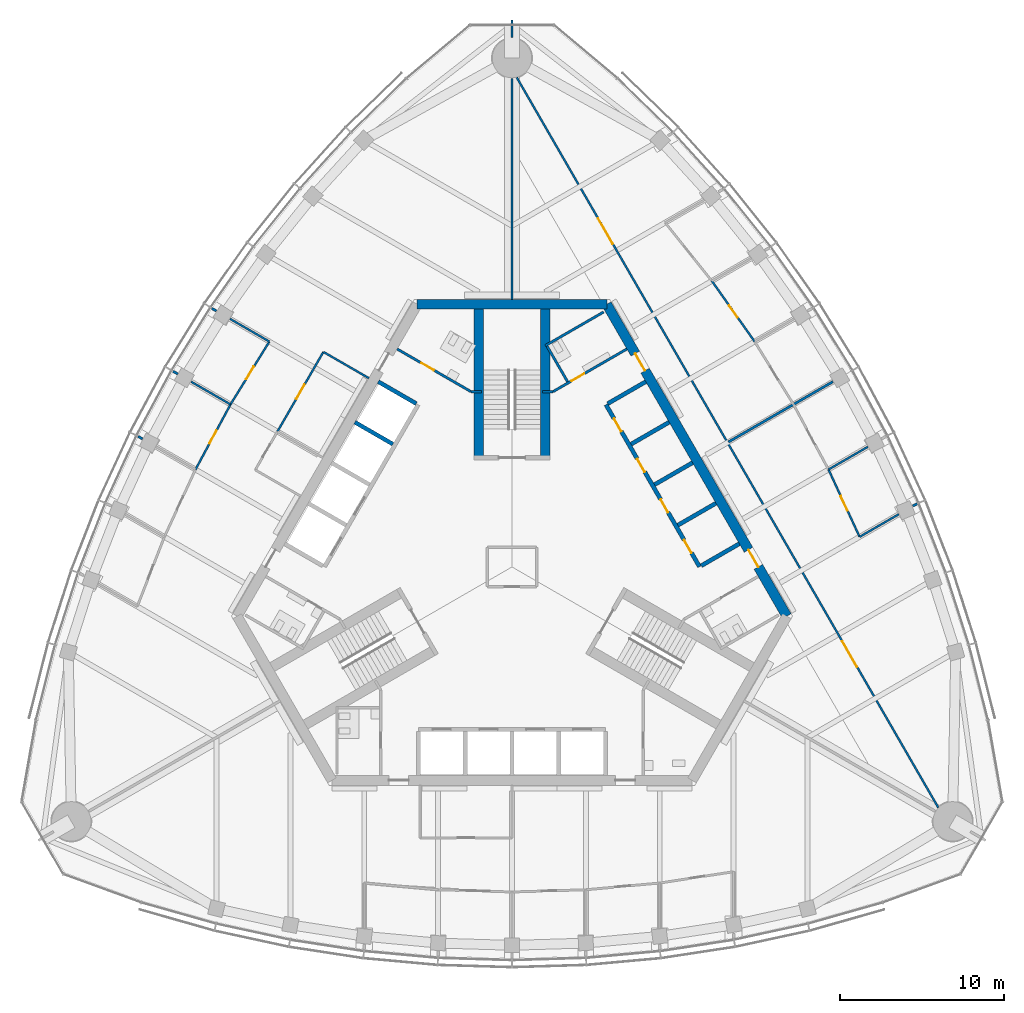
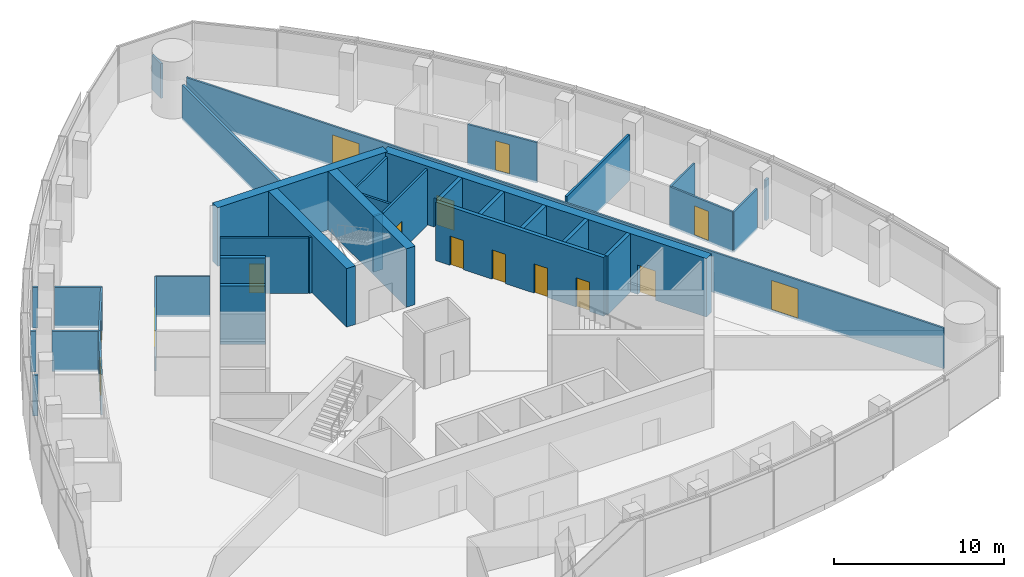
# One storey, part 10 of 16: 36 walls, 15 doors, 15 openings.
"""IFC4 building model written with IfcOpenShell, lengths in metres."""

from ifc_helpers import new_model, si_unit, direction, frame, frame_2d, origin, place, context, subcontext, project, spatial, rectangle, extrude, material, layer, layer_set, type_object, element, fill, save


model = new_model("IFC4")

# Units and contexts
model_context = context("Model", 3, precision=1e-05, world=origin(), true_north=direction((0.0, 1.0)))
body_context = subcontext(model_context, "Body", "Model", "MODEL_VIEW")
ifc_project = project(units=[si_unit("LENGTHUNIT", "METRE"), si_unit("AREAUNIT", "SQUARE_METRE"), si_unit("VOLUMEUNIT", "CUBIC_METRE"), si_unit("PLANEANGLEUNIT", "RADIAN"), si_unit("MASSUNIT", "GRAM", prefix="KILO")], contexts=[model_context])

# Site, building, storey
site_placement = place(None, origin())
site = spatial("IfcSite", under=ifc_project, at=site_placement, CompositionType="ELEMENT")
building_placement = place(site_placement, origin())
building = spatial("IfcBuilding", under=site, at=building_placement, Name="Trefoil Bronze Tower", CompositionType="ELEMENT")
storey_placement = place(building_placement, frame((0.0, 0.0, 301.5)))
storey = spatial("IfcBuildingStorey", under=building, at=storey_placement, Name="L69", CompositionType="ELEMENT", Elevation=301.5)

# Wall, openings, doors
ifc_material_1 = material(Name="Concrete B80", Category="concrete")
ifc_layer_1 = layer(ifc_material_1, 0.60009765625)
ifc_layer_set_1 = layer_set([ifc_layer_1], Name="Core wall 600")
wall_type_1 = type_object("IfcWallType", Name="Core wall 600", PredefinedType="SHEAR", material=ifc_layer_set_1)
wall_1_placement = place(storey_placement, frame((16.7431640625, -3.0, 0.0), z_axis=(0.0, 0.0, 1.0), x_axis=(-0.500002442456, 0.866023993627, 0.0)))
wall_1 = element("IfcWall", 1, at=wall_1_placement, inside=storey, type_object=wall_type_1, Name="Core long wall 2 L69", PredefinedType="SHEAR", context=body_context, shape_type="SweptSolid", body=[
    extrude(rectangle(XDim=21.939453125, YDim=0.60009765625, at=frame_2d((10.9697265625, 0.0))), origin(), (0.0, 0.0, 1.0), 4.199951171875),
])
opening_1_placement = place(wall_1_placement, frame((17.269775390625, 0.0, 0.0)))
opening_1 = element("IfcOpeningElement", 2, at=opening_1_placement, cuts=wall_1, Name="Opening D2", PredefinedType="OPENING", context=body_context, shape_type="SweptSolid", body=[
    extrude(rectangle(XDim=1.199951171875, YDim=2.10009765625, at=frame_2d((0.60009765625, 1.050048828125))), frame((0.0, 0.31005859375, 0.0), z_axis=(0.0, -1.0, 0.0), x_axis=(1.0, 0.0, 0.0)), (0.0, 0.0, 1.0), 0.6201171875),
])
opening_2_placement = place(wall_1_placement, frame((3.4697265625, 0.0, 0.0)))
opening_2 = element("IfcOpeningElement", 3, at=opening_2_placement, cuts=wall_1, Name="Opening D2", PredefinedType="OPENING", context=body_context, shape_type="SweptSolid", body=[
    extrude(rectangle(XDim=1.199951171875, YDim=2.10009765625, at=frame_2d((0.60009765625, 1.050048828125))), frame((0.0, 0.31005859375, 0.0), z_axis=(0.0, -1.0, 0.0), x_axis=(1.0, 0.0, 0.0)), (0.0, 0.0, 1.0), 0.6201171875),
])
ifc_material_2 = material(Name="Steel door", Category="steel")
door_type_1 = type_object("IfcDoorType", Name="Lobby door 1200", OperationType="SINGLE_SWING_RIGHT", PredefinedType="DOOR", material=ifc_material_2)
door_1_placement = place(opening_1_placement, origin())
door_1 = element("IfcDoor", 4, at=door_1_placement, inside=storey, type_object=door_type_1, Name="Lobby door F2+ L69", OperationType="SINGLE_SWING_RIGHT", OverallHeight=2.10009765625, OverallWidth=1.199951171875, PredefinedType="DOOR", context=body_context, shape_type="SweptSolid", body=[
    extrude(rectangle(XDim=1.199951171875, YDim=2.10009765625, at=frame_2d((0.60009765625, 1.050048828125))), frame((0.0, 0.02490234375, 0.0), z_axis=(0.0, -1.0, 0.0), x_axis=(1.0, 0.0, 0.0)), (0.0, 0.0, 1.0), 0.050048828125),
])
fill(opening_1, door_1)
door_2_placement = place(opening_2_placement, origin())
door_2 = element("IfcDoor", 5, at=door_2_placement, inside=storey, type_object=door_type_1, Name="Lobby door F2- L69", OperationType="SINGLE_SWING_LEFT", OverallHeight=2.10009765625, OverallWidth=1.199951171875, PredefinedType="DOOR", context=body_context, shape_type="SweptSolid", body=[
    extrude(rectangle(XDim=1.199951171875, YDim=2.10009765625, at=frame_2d((0.60009765625, 1.050048828125))), frame((0.0, 0.02490234375, 0.0), z_axis=(0.0, -1.0, 0.0), x_axis=(1.0, 0.0, 0.0)), (0.0, 0.0, 1.0), 0.050048828125),
])
fill(opening_2, door_2)

# Wall
wall_2_placement = place(storey_placement, frame((5.7734375, 16.0, 0.0), z_axis=(0.0, 0.0, 1.0), x_axis=(-1.0, 0.0, 0.0)))
element("IfcWall", 6, at=wall_2_placement, inside=storey, type_object=wall_type_1, Name="Core short wall 2 L69", PredefinedType="SHEAR", context=body_context, shape_type="SweptSolid", body=[
    extrude(rectangle(XDim=11.546875, YDim=0.60009765625, at=frame_2d((5.7734375, 0.0))), origin(), (0.0, 0.0, 1.0), 4.199951171875),
])

# Wall, openings, doors
ifc_material_3 = material(Name="Glazed partition", Category="glass")
ifc_layer_2 = layer(ifc_material_3, 0.1201171875)
ifc_layer_set_2 = layer_set([ifc_layer_2], Name="Glazed partition 120")
wall_type_2 = type_object("IfcWallType", Name="Glazed partition 120", PredefinedType="PARTITIONING", material=ifc_layer_set_2)
wall_3_placement = place(storey_placement, frame((25.9677734375, -14.657470703125, 0.0), z_axis=(0.0, 0.0, 1.0), x_axis=(-0.500000361757, 0.866025194924, 0.0)))
wall_3 = element("IfcWall", 7, at=wall_3_placement, inside=storey, type_object=wall_type_2, Name="Partition F2 L69", PredefinedType="PARTITIONING", context=body_context, shape_type="SweptSolid", body=[
    extrude(rectangle(XDim=51.35546875, YDim=0.1201171875, at=frame_2d((25.677734375, 0.0))), origin(), (0.0, 0.0, 1.0), 2.89990234375),
])
opening_3_placement = place(wall_3_placement, frame((9.89990234375, 0.0, 0.14990234375)))
opening_3 = element("IfcOpeningElement", 8, at=opening_3_placement, cuts=wall_3, Name="Opening D10", PredefinedType="OPENING", context=body_context, shape_type="SweptSolid", body=[
    extrude(rectangle(XDim=1.800048828125, YDim=2.10009765625, at=frame_2d((0.89990234375, 1.050048828125))), frame((0.0, 0.070068359375, 0.0), z_axis=(0.0, -1.0, 0.0), x_axis=(1.0, 0.0, 0.0)), (0.0, 0.0, 1.0), 0.14013671875),
])
opening_4_placement = place(wall_3_placement, frame((39.64990234375, 0.0, 0.14990234375)))
opening_4 = element("IfcOpeningElement", 9, at=opening_4_placement, cuts=wall_3, Name="Opening D10", PredefinedType="OPENING", context=body_context, shape_type="SweptSolid", body=[
    extrude(rectangle(XDim=1.800048828125, YDim=2.10009765625, at=frame_2d((0.89990234375, 1.050048828125))), frame((0.0, 0.070068359375, 0.0), z_axis=(0.0, -1.0, 0.0), x_axis=(1.0, 0.0, 0.0)), (0.0, 0.0, 1.0), 0.14013671875),
])
ifc_material_4 = material(Name="Timber door", Category="wood")
door_type_2 = type_object("IfcDoorType", Name="Double door 1800", OperationType="DOUBLE_DOOR_SINGLE_SWING", PredefinedType="DOOR", material=ifc_material_4)
door_3_placement = place(opening_3_placement, origin())
door_3 = element("IfcDoor", 10, at=door_3_placement, inside=storey, type_object=door_type_2, Name="Corridor door F2 L69", OperationType="DOUBLE_DOOR_SINGLE_SWING", OverallHeight=2.10009765625, OverallWidth=1.800048828125, PredefinedType="DOOR", context=body_context, shape_type="SweptSolid", body=[
    extrude(rectangle(XDim=1.800048828125, YDim=2.10009765625, at=frame_2d((0.89990234375, 1.050048828125))), frame((0.0, 0.02490234375, 0.0), z_axis=(0.0, -1.0, 0.0), x_axis=(1.0, 0.0, 0.0)), (0.0, 0.0, 1.0), 0.050048828125),
])
fill(opening_3, door_3)
door_4_placement = place(opening_4_placement, origin())
door_4 = element("IfcDoor", 11, at=door_4_placement, inside=storey, type_object=door_type_2, Name="Corridor door F2 L69", OperationType="DOUBLE_DOOR_SINGLE_SWING", OverallHeight=2.10009765625, OverallWidth=1.800048828125, PredefinedType="DOOR", context=body_context, shape_type="SweptSolid", body=[
    extrude(rectangle(XDim=1.800048828125, YDim=2.10009765625, at=frame_2d((0.89990234375, 1.050048828125))), frame((0.0, 0.02490234375, 0.0), z_axis=(0.0, -1.0, 0.0), x_axis=(1.0, 0.0, 0.0)), (0.0, 0.0, 1.0), 0.050048828125),
])
fill(opening_4, door_4)

# Wall, opening, door
wall_4_placement = place(storey_placement, frame((14.78076171875, 13.729736328125, 0.0), z_axis=(0.0, 0.0, 1.0), x_axis=(-0.576572893039, 0.817045714151, 0.0)))
wall_4 = element("IfcWall", 12, at=wall_4_placement, inside=storey, type_object=wall_type_2, Name="Partition F2 L69", PredefinedType="PARTITIONING", context=body_context, shape_type="SweptSolid", body=[
    extrude(rectangle(XDim=4.518798828125, YDim=0.1201171875, at=frame_2d((2.25927734375, 0.0))), origin(), (0.0, 0.0, 1.0), 2.89990234375),
])
opening_5_placement = place(wall_4_placement, frame((1.800048828125, 0.0, 0.14990234375)))
opening_5 = element("IfcOpeningElement", 13, at=opening_5_placement, cuts=wall_4, Name="Opening D8", PredefinedType="OPENING", context=body_context, shape_type="SweptSolid", body=[
    extrude(rectangle(XDim=0.89990234375, YDim=2.10009765625, at=frame_2d((0.449951171875, 1.050048828125))), frame((0.0, 0.070068359375, 0.0), z_axis=(0.0, -1.0, 0.0), x_axis=(1.0, 0.0, 0.0)), (0.0, 0.0, 1.0), 0.14013671875),
])
ifc_material_5 = material(Name="Timber door", Category="wood")
door_type_3 = type_object("IfcDoorType", Name="Office door 900", OperationType="SINGLE_SWING_LEFT", PredefinedType="DOOR", material=ifc_material_5)
door_5_placement = place(opening_5_placement, frame((0.89990234375, 0.0, 0.0), z_axis=(0.0, 0.0, 1.0), x_axis=(-1.0, 0.0, 0.0)))
door_5 = element("IfcDoor", 14, at=door_5_placement, inside=storey, type_object=door_type_3, Name="Office door F2 L69", OperationType="SINGLE_SWING_RIGHT", OverallHeight=2.10009765625, OverallWidth=0.89990234375, PredefinedType="DOOR", context=body_context, shape_type="SweptSolid", body=[
    extrude(rectangle(XDim=0.89990234375, YDim=2.10009765625, at=frame_2d((0.449951171875, 1.050048828125))), frame((0.0, 0.02490234375, 0.0), z_axis=(0.0, -1.0, 0.0), x_axis=(1.0, 0.0, 0.0)), (0.0, 0.0, 1.0), 0.050048828125),
])
fill(opening_5, door_5)

wall_5_placement = place(storey_placement, frame((21.17529296875, 1.833251953125, 0.0), z_axis=(0.0, 0.0, 1.0), x_axis=(-0.419270595022, 0.907861315483, 0.0)))
wall_5 = element("IfcWall", 15, at=wall_5_placement, inside=storey, type_object=wall_type_2, Name="Partition F2 L69", PredefinedType="PARTITIONING", context=body_context, shape_type="SweptSolid", body=[
    extrude(rectangle(XDim=4.5185546875, YDim=0.1201171875, at=frame_2d((2.25927734375, 0.0))), origin(), (0.0, 0.0, 1.0), 2.89990234375),
])
opening_6_placement = place(wall_5_placement, frame((1.75, 0.0, 0.14990234375)))
opening_6 = element("IfcOpeningElement", 16, at=opening_6_placement, cuts=wall_5, Name="Opening D9", PredefinedType="OPENING", context=body_context, shape_type="SweptSolid", body=[
    extrude(rectangle(XDim=1.0, YDim=2.10009765625, at=frame_2d((0.5, 1.050048828125))), frame((0.0, 0.070068359375, 0.0), z_axis=(0.0, -1.0, 0.0), x_axis=(1.0, 0.0, 0.0)), (0.0, 0.0, 1.0), 0.14013671875),
])
ifc_material_6 = material(Name="Glazed timber door", Category="wood")
door_type_4 = type_object("IfcDoorType", Name="Meeting room door 1000", OperationType="SINGLE_SWING_LEFT", PredefinedType="DOOR", material=ifc_material_6)
door_6_placement = place(opening_6_placement, frame((1.0, 0.0, 0.0), z_axis=(0.0, 0.0, 1.0), x_axis=(-1.0, 0.0, 0.0)))
door_6 = element("IfcDoor", 17, at=door_6_placement, inside=storey, type_object=door_type_4, Name="Meeting room door F2 L69", OperationType="SINGLE_SWING_RIGHT", OverallHeight=2.10009765625, OverallWidth=1.0, PredefinedType="DOOR", context=body_context, shape_type="SweptSolid", body=[
    extrude(rectangle(XDim=1.0, YDim=2.10009765625, at=frame_2d((0.5, 1.050048828125))), frame((0.0, 0.02490234375, 0.0), z_axis=(0.0, -1.0, 0.0), x_axis=(1.0, 0.0, 0.0)), (0.0, 0.0, 1.0), 0.050048828125),
])
fill(opening_6, door_6)

# Walls
wall_6_placement = place(storey_placement, frame((19.28076171875, 5.935546875, 0.0), z_axis=(0.0, 0.0, 1.0), x_axis=(0.866019581949, 0.500010083578, 0.0)))
element("IfcWall", 18, at=wall_6_placement, inside=storey, type_object=wall_type_2, Name="Partition F2 L69", PredefinedType="PARTITIONING", context=body_context, shape_type="SweptSolid", body=[
    extrude(rectangle(XDim=2.767578125, YDim=0.1201171875, at=frame_2d((1.3837890625, 0.0))), origin(), (0.0, 0.0, 1.0), 2.89990234375),
])
wall_7_placement = place(storey_placement, frame((21.17529296875, 1.833251953125, 0.0), z_axis=(0.0, 0.0, 1.0), x_axis=(0.86602506628, 0.500000584575, 0.0)))
element("IfcWall", 19, at=wall_7_placement, inside=storey, type_object=wall_type_2, Name="Partition F2 L69", PredefinedType="PARTITIONING", context=body_context, shape_type="SweptSolid", body=[
    extrude(rectangle(XDim=2.7607421875, YDim=0.1201171875, at=frame_2d((1.38037109375, 0.0))), origin(), (0.0, 0.0, 1.0), 2.89990234375),
])

# Wall, opening, door
wall_8_placement = place(storey_placement, frame((-11.489501953125, 13.099853515625, 0.0), z_axis=(0.0, 0.0, 1.0), x_axis=(-0.499965239061, -0.866045472092, 0.0)))
wall_8 = element("IfcWall", 20, at=wall_8_placement, inside=storey, type_object=wall_type_2, Name="Partition F3 L69", PredefinedType="PARTITIONING", context=body_context, shape_type="SweptSolid", body=[
    extrude(rectangle(XDim=5.60009765625, YDim=0.1201171875, at=frame_2d((2.800048828125, 0.0))), origin(), (0.0, 0.0, 1.0), 2.89990234375),
])
opening_7_placement = place(wall_8_placement, frame((2.300048828125, 0.0, 0.14990234375)))
opening_7 = element("IfcOpeningElement", 21, at=opening_7_placement, cuts=wall_8, Name="Opening D9", PredefinedType="OPENING", context=body_context, shape_type="SweptSolid", body=[
    extrude(rectangle(XDim=1.0, YDim=2.10009765625, at=frame_2d((0.5, 1.050048828125))), frame((0.0, 0.070068359375, 0.0), z_axis=(0.0, -1.0, 0.0), x_axis=(1.0, 0.0, 0.0)), (0.0, 0.0, 1.0), 0.14013671875),
])
door_7_placement = place(opening_7_placement, origin())
door_7 = element("IfcDoor", 22, at=door_7_placement, inside=storey, type_object=door_type_4, Name="Meeting room door F3 L69", OperationType="SINGLE_SWING_RIGHT", OverallHeight=2.10009765625, OverallWidth=1.0, PredefinedType="DOOR", context=body_context, shape_type="SweptSolid", body=[
    extrude(rectangle(XDim=1.0, YDim=2.10009765625, at=frame_2d((0.5, 1.050048828125))), frame((0.0, 0.02490234375, 0.0), z_axis=(0.0, -1.0, 0.0), x_axis=(1.0, 0.0, 0.0)), (0.0, 0.0, 1.0), 0.050048828125),
])
fill(opening_7, door_7)

# Wall
wall_9_placement = place(storey_placement, frame((-8.718017578125, 11.499755859375, 0.0), z_axis=(0.0, 0.0, 1.0), x_axis=(-0.866028054938, 0.499995408039, 0.0)))
element("IfcWall", 23, at=wall_9_placement, inside=storey, type_object=wall_type_2, Name="Partition F3 L69", PredefinedType="PARTITIONING", context=body_context, shape_type="SweptSolid", body=[
    extrude(rectangle(XDim=3.2001953125, YDim=0.1201171875, at=frame_2d((1.60009765625, 0.0))), origin(), (0.0, 0.0, 1.0), 2.89990234375),
])

# Wall, opening, door
wall_10_placement = place(storey_placement, frame((-17.148681640625, 9.90087890625, 0.0), z_axis=(0.0, 0.0, 1.0), x_axis=(-0.473566170147, -0.880758242932, 0.0)))
wall_10 = element("IfcWall", 24, at=wall_10_placement, inside=storey, type_object=wall_type_2, Name="Partition F3 L69", PredefinedType="PARTITIONING", context=body_context, shape_type="SweptSolid", body=[
    extrude(rectangle(XDim=4.502197265625, YDim=0.1201171875, at=frame_2d((2.2509765625, 0.0))), origin(), (0.0, 0.0, 1.0), 2.89990234375),
])
opening_8_placement = place(wall_10_placement, frame((1.800048828125, 0.0, 0.14990234375)))
opening_8 = element("IfcOpeningElement", 25, at=opening_8_placement, cuts=wall_10, Name="Opening D8", PredefinedType="OPENING", context=body_context, shape_type="SweptSolid", body=[
    extrude(rectangle(XDim=0.89990234375, YDim=2.10009765625, at=frame_2d((0.449951171875, 1.050048828125))), frame((0.0, 0.070068359375, 0.0), z_axis=(0.0, -1.0, 0.0), x_axis=(1.0, 0.0, 0.0)), (0.0, 0.0, 1.0), 0.14013671875),
])
door_8_placement = place(opening_8_placement, frame((0.89990234375, 0.0, 0.0), z_axis=(0.0, 0.0, 1.0), x_axis=(-1.0, 0.0, 0.0)))
door_8 = element("IfcDoor", 26, at=door_8_placement, inside=storey, type_object=door_type_3, Name="Office door F3 L69", OperationType="SINGLE_SWING_RIGHT", OverallHeight=2.10009765625, OverallWidth=0.89990234375, PredefinedType="DOOR", context=body_context, shape_type="SweptSolid", body=[
    extrude(rectangle(XDim=0.89990234375, YDim=2.10009765625, at=frame_2d((0.449951171875, 1.050048828125))), frame((0.0, 0.02490234375, 0.0), z_axis=(0.0, -1.0, 0.0), x_axis=(1.0, 0.0, 0.0)), (0.0, 0.0, 1.0), 0.050048828125),
])
fill(opening_8, door_8)

wall_11_placement = place(storey_placement, frame((-14.78076171875, 13.729736328125, 0.0), z_axis=(0.0, 0.0, 1.0), x_axis=(-0.525981173851, -0.850496210899, 0.0)))
wall_11 = element("IfcWall", 27, at=wall_11_placement, inside=storey, type_object=wall_type_2, Name="Partition F3 L69", PredefinedType="PARTITIONING", context=body_context, shape_type="SweptSolid", body=[
    extrude(rectangle(XDim=4.501953125, YDim=0.1201171875, at=frame_2d((2.2509765625, 0.0))), origin(), (0.0, 0.0, 1.0), 2.89990234375),
])
opening_9_placement = place(wall_11_placement, frame((1.800048828125, 0.0, 0.14990234375)))
opening_9 = element("IfcOpeningElement", 28, at=opening_9_placement, cuts=wall_11, Name="Opening D8", PredefinedType="OPENING", context=body_context, shape_type="SweptSolid", body=[
    extrude(rectangle(XDim=0.89990234375, YDim=2.10009765625, at=frame_2d((0.449951171875, 1.050048828125))), frame((0.0, 0.070068359375, 0.0), z_axis=(0.0, -1.0, 0.0), x_axis=(1.0, 0.0, 0.0)), (0.0, 0.0, 1.0), 0.14013671875),
])
door_9_placement = place(opening_9_placement, frame((0.89990234375, 0.0, 0.0), z_axis=(0.0, 0.0, 1.0), x_axis=(-1.0, 0.0, 0.0)))
door_9 = element("IfcDoor", 29, at=door_9_placement, inside=storey, type_object=door_type_3, Name="Office door F3 L69", OperationType="SINGLE_SWING_RIGHT", OverallHeight=2.10009765625, OverallWidth=0.89990234375, PredefinedType="DOOR", context=body_context, shape_type="SweptSolid", body=[
    extrude(rectangle(XDim=0.89990234375, YDim=2.10009765625, at=frame_2d((0.449951171875, 1.050048828125))), frame((0.0, 0.02490234375, 0.0), z_axis=(0.0, -1.0, 0.0), x_axis=(1.0, 0.0, 0.0)), (0.0, 0.0, 1.0), 0.050048828125),
])
fill(opening_9, door_9)

# Walls
wall_12_placement = place(storey_placement, frame((-17.148681640625, 9.90087890625, 0.0), z_axis=(0.0, 0.0, 1.0), x_axis=(-0.866027073272, 0.499997108352, 0.0)))
element("IfcWall", 30, at=wall_12_placement, inside=storey, type_object=wall_type_2, Name="Partition F3 L69", PredefinedType="PARTITIONING", context=body_context, shape_type="SweptSolid", body=[
    extrude(rectangle(XDim=2.77001953125, YDim=0.1201171875, at=frame_2d((1.385009765625, 0.0))), origin(), (0.0, 0.0, 1.0), 2.89990234375),
])
wall_13_placement = place(storey_placement, frame((-14.78076171875, 13.729736328125, 0.0), z_axis=(0.0, 0.0, 1.0), x_axis=(-0.866019581949, 0.500010083578, 0.0)))
element("IfcWall", 31, at=wall_13_placement, inside=storey, type_object=wall_type_2, Name="Partition F3 L69", PredefinedType="PARTITIONING", context=body_context, shape_type="SweptSolid", body=[
    extrude(rectangle(XDim=2.767578125, YDim=0.1201171875, at=frame_2d((1.3837890625, 0.0))), origin(), (0.0, 0.0, 1.0), 2.89990234375),
])

# Wall, opening, door
ifc_material_7 = material(Name="Gypsum board on steel studs", Category="steel")
ifc_layer_3 = layer(ifc_material_7, 0.14990234375)
ifc_layer_set_3 = layer_set([ifc_layer_3], Name="Partition 150")
wall_type_3 = type_object("IfcWallType", Name="Partition 150", PredefinedType="PARTITIONING", material=ifc_layer_set_3)
wall_14_placement = place(storey_placement, frame((2.4951171875, 10.67822265625, 0.0), z_axis=(0.0, 0.0, 1.0), x_axis=(0.866021400173, 0.500006934395, 0.0)))
wall_14 = element("IfcWall", 32, at=wall_14_placement, inside=storey, type_object=wall_type_3, Name="Passage wall F2+ L69", PredefinedType="PARTITIONING", context=body_context, shape_type="SweptSolid", body=[
    extrude(rectangle(XDim=5.2001953125, YDim=0.14990234375, at=frame_2d((2.60009765625, 0.0))), origin(), (0.0, 0.0, 1.0), 4.0),
])
opening_10_placement = place(wall_14_placement, frame((1.300048828125, 0.0, 0.0)))
opening_10 = element("IfcOpeningElement", 33, at=opening_10_placement, cuts=wall_14, Name="Opening D3", PredefinedType="OPENING", context=body_context, shape_type="SweptSolid", body=[
    extrude(rectangle(XDim=0.89990234375, YDim=2.10009765625, at=frame_2d((0.449951171875, 1.050048828125))), frame((0.0, 0.0849609375, 0.0), z_axis=(0.0, -1.0, 0.0), x_axis=(1.0, 0.0, 0.0)), (0.0, 0.0, 1.0), 0.169921875),
])
ifc_material_8 = material(Name="Timber door", Category="wood")
door_type_5 = type_object("IfcDoorType", Name="WC door 900", OperationType="SINGLE_SWING_LEFT", PredefinedType="DOOR", material=ifc_material_8)
door_10_placement = place(opening_10_placement, origin())
door_10 = element("IfcDoor", 34, at=door_10_placement, inside=storey, type_object=door_type_5, Name="WC (men) door L69", OperationType="SINGLE_SWING_LEFT", OverallHeight=2.10009765625, OverallWidth=0.89990234375, PredefinedType="DOOR", context=body_context, shape_type="SweptSolid", body=[
    extrude(rectangle(XDim=0.89990234375, YDim=2.10009765625, at=frame_2d((0.449951171875, 1.050048828125))), frame((0.0, 0.02490234375, 0.0), z_axis=(0.0, -1.0, 0.0), x_axis=(1.0, 0.0, 0.0)), (0.0, 0.0, 1.0), 0.050048828125),
])
fill(opening_10, door_10)

wall_15_placement = place(storey_placement, frame((-2.4951171875, 10.67822265625, 0.0), z_axis=(0.0, 0.0, 1.0), x_axis=(-0.866021400173, 0.500006934395, 0.0)))
wall_15 = element("IfcWall", 35, at=wall_15_placement, inside=storey, type_object=wall_type_3, Name="Passage wall F3- L69", PredefinedType="PARTITIONING", context=body_context, shape_type="SweptSolid", body=[
    extrude(rectangle(XDim=5.2001953125, YDim=0.14990234375, at=frame_2d((2.60009765625, 0.0))), origin(), (0.0, 0.0, 1.0), 4.0),
])
opening_11_placement = place(wall_15_placement, frame((2.60009765625, 0.0, 0.0)))
opening_11 = element("IfcOpeningElement", 36, at=opening_11_placement, cuts=wall_15, Name="Opening D3", PredefinedType="OPENING", context=body_context, shape_type="SweptSolid", body=[
    extrude(rectangle(XDim=0.89990234375, YDim=2.10009765625, at=frame_2d((0.449951171875, 1.050048828125))), frame((0.0, 0.0849609375, 0.0), z_axis=(0.0, -1.0, 0.0), x_axis=(1.0, 0.0, 0.0)), (0.0, 0.0, 1.0), 0.169921875),
])
door_11_placement = place(opening_11_placement, frame((0.89990234375, 0.0, 0.0), z_axis=(0.0, 0.0, 1.0), x_axis=(-1.0, 0.0, 0.0)))
door_11 = element("IfcDoor", 37, at=door_11_placement, inside=storey, type_object=door_type_5, Name="WC (women) door L69", OperationType="SINGLE_SWING_LEFT", OverallHeight=2.10009765625, OverallWidth=0.89990234375, PredefinedType="DOOR", context=body_context, shape_type="SweptSolid", body=[
    extrude(rectangle(XDim=0.89990234375, YDim=2.10009765625, at=frame_2d((0.449951171875, 1.050048828125))), frame((0.0, 0.02490234375, 0.0), z_axis=(0.0, -1.0, 0.0), x_axis=(1.0, 0.0, 0.0)), (0.0, 0.0, 1.0), 0.050048828125),
])
fill(opening_11, door_11)

# Walls
for number, where, z_axis, x_axis, name in (
    (38, (2.4951171875, 10.67822265625, 0.0), (0.0, 0.0, 1.0), (-1.0, 0.0, 0.0), "WC wall ST2-1 L69"),
    (39, (-2.4951171875, 10.67822265625, 0.0), (0.0, 0.0, 1.0), (1.0, 0.0, 0.0), "WC wall ST2+1 L69"),
):
    element("IfcWall", number, at=place(storey_placement, frame(where, z_axis=z_axis, x_axis=x_axis)), inside=storey, type_object=wall_type_3, Name=name, PredefinedType="PARTITIONING", context=body_context, shape_type="SweptSolid", body=[
        extrude(rectangle(XDim=0.64501953125, YDim=0.14990234375, at=frame_2d((0.322509765625, 0.0))), origin(), (0.0, 0.0, 1.0), 4.0),
    ])
wall_16_placement = place(storey_placement, frame((2.03125, 13.48193359375, 0.0), z_axis=(0.0, 0.0, 1.0), x_axis=(0.866050731258, 0.499956128963, 0.0)))
element("IfcWall", 40, at=wall_16_placement, inside=storey, type_object=wall_type_3, Name="WC partition WC (men) L69", PredefinedType="PARTITIONING", context=body_context, shape_type="SweptSolid", body=[
    extrude(rectangle(XDim=4.099853515625, YDim=0.14990234375, at=frame_2d((2.0498046875, 0.0))), origin(), (0.0, 0.0, 1.0), 4.0),
])
wall_17_placement = place(storey_placement, frame((3.388671875, 11.28076171875, 0.0), z_axis=(0.0, 0.0, 1.0), x_axis=(-0.499989096993, 0.866031698547, 0.0)))
element("IfcWall", 41, at=wall_17_placement, inside=storey, type_object=wall_type_3, Name="WC partition WC (men) L69", PredefinedType="PARTITIONING", context=body_context, shape_type="SweptSolid", body=[
    extrude(rectangle(XDim=2.509765625, YDim=0.14990234375, at=frame_2d((1.2548828125, 0.0))), origin(), (0.0, 0.0, 1.0), 4.0),
])
wall_18_placement = place(storey_placement, frame((24.42236328125, 3.7080078125, 0.0), z_axis=(0.0, 0.0, 1.0), x_axis=(0.866254317358, 0.499603300288, 0.0)))
element("IfcWall", 42, at=wall_18_placement, inside=storey, type_object=wall_type_3, Name="Partition F2 L69", PredefinedType="PARTITIONING", context=body_context, shape_type="SweptSolid", body=[
    extrude(rectangle(XDim=0.295654296875, YDim=0.14990234375, at=frame_2d((0.14794921875, 0.0))), origin(), (0.0, 0.0, 1.0), 2.89990234375),
])
wall_19_placement = place(storey_placement, frame((-20.3564453125, 11.752685546875, 0.0), z_axis=(0.0, 0.0, 1.0), x_axis=(-0.865899514186, 0.500217983815, 0.0)))
element("IfcWall", 43, at=wall_19_placement, inside=storey, type_object=wall_type_3, Name="Partition F3 L69", PredefinedType="PARTITIONING", context=body_context, shape_type="SweptSolid", body=[
    extrude(rectangle(XDim=0.341064453125, YDim=0.14990234375, at=frame_2d((0.17041015625, 0.0))), origin(), (0.0, 0.0, 1.0), 2.89990234375),
])
for number, where, z_axis, x_axis, name in (
    (44, (-22.510009765625, 7.800048828125, 0.0), (0.0, 0.0, 1.0), (-0.866095534226, 0.499878510834, 0.0), "Partition F3 L69"),
    (45, (-18.010009765625, 15.59423828125, 0.0), (0.0, 0.0, 1.0), (-0.866095534226, 0.499878510834, 0.0), "Partition F3 L69"),
):
    element("IfcWall", number, at=place(storey_placement, frame(where, z_axis=z_axis, x_axis=x_axis)), inside=storey, type_object=wall_type_3, Name=name, PredefinedType="PARTITIONING", context=body_context, shape_type="SweptSolid", body=[
        extrude(rectangle(XDim=0.31591796875, YDim=0.14990234375, at=frame_2d((0.157958984375, 0.0))), origin(), (0.0, 0.0, 1.0), 2.89990234375),
    ])
ifc_material_9 = material(Name="Gypsum board on steel studs", Category="steel")
ifc_layer_4 = layer(ifc_material_9, 0.14990234375)
ifc_layer_set_4 = layer_set([ifc_layer_4], Name="Party wall 150")
wall_type_4 = type_object("IfcWallType", Name="Party wall 150", PredefinedType="PARTITIONING", material=ifc_layer_set_4)
wall_20_placement = place(storey_placement, frame((0.0, 16.300048828125, 0.0), z_axis=(0.0, 0.0, 1.0), x_axis=(0.0, 1.0, 0.0)))
element("IfcWall", 46, at=wall_20_placement, inside=storey, type_object=wall_type_4, Name="Party wall K2 L69", PredefinedType="PARTITIONING", context=body_context, shape_type="SweptSolid", body=[
    extrude(rectangle(XDim=13.449951171875, YDim=0.14990234375, at=frame_2d((6.72509765625, 0.0))), origin(), (0.0, 0.0, 1.0), 2.5),
])
wall_21_placement = place(storey_placement, frame((0.0, 32.25, 0.0), z_axis=(0.0, 0.0, 1.0), x_axis=(0.0, 1.0, 0.0)))
element("IfcWall", 47, at=wall_21_placement, inside=storey, type_object=wall_type_4, Name="Party wall K2 L69", PredefinedType="PARTITIONING", context=body_context, shape_type="SweptSolid", body=[
    extrude(rectangle(XDim=1.06982421875, YDim=0.14990234375, at=frame_2d((0.534912109375, 0.0))), origin(), (0.0, 0.0, 1.0), 2.5),
])
wall_22_placement = place(storey_placement, frame((13.180908203125, 7.610107421875, 0.0), z_axis=(0.0, 0.0, 1.0), x_axis=(0.866027421574, 0.49999650507, 0.0)))
element("IfcWall", 48, at=wall_22_placement, inside=storey, type_object=wall_type_4, Name="Demising wall F2 L69", PredefinedType="PARTITIONING", context=body_context, shape_type="SweptSolid", body=[
    extrude(rectangle(XDim=7.3515625, YDim=0.14990234375, at=frame_2d((3.67578125, 0.0))), origin(), (0.0, 0.0, 1.0), 3.300048828125),
])

# Wall, openings, doors
ifc_material_10 = material(Name="Concrete B80", Category="concrete")
ifc_layer_5 = layer(ifc_material_10, 0.25)
ifc_layer_set_5 = layer_set([ifc_layer_5], Name="Shaft wall 250")
wall_type_5 = type_object("IfcWallType", Name="Shaft wall 250", PredefinedType="SHEAR", material=ifc_layer_set_5)
wall_23_placement = place(storey_placement, frame((11.423583984375, 0.013671875, 0.0), z_axis=(0.0, 0.0, 1.0), x_axis=(-0.500001763848, 0.866024385424, 0.0)))
wall_23 = element("IfcWall", 49, at=wall_23_placement, inside=storey, type_object=wall_type_5, Name="Lift shaft front wall B L69", PredefinedType="SHEAR", context=body_context, shape_type="SweptSolid", body=[
    extrude(rectangle(XDim=11.39990234375, YDim=0.25, at=frame_2d((5.699951171875, 0.0))), origin(), (0.0, 0.0, 1.0), 4.199951171875),
])
opening_12_placement = place(wall_23_placement, frame((0.97509765625, 0.0, 0.0)))
opening_12 = element("IfcOpeningElement", 50, at=opening_12_placement, cuts=wall_23, Name="Opening D12", PredefinedType="OPENING", context=body_context, shape_type="SweptSolid", body=[
    extrude(rectangle(XDim=0.89990234375, YDim=2.10009765625, at=frame_2d((0.449951171875, 1.050048828125))), frame((0.0, 0.135009765625, 0.0), z_axis=(0.0, -1.0, 0.0), x_axis=(1.0, 0.0, 0.0)), (0.0, 0.0, 1.0), 0.27001953125),
])
opening_13_placement = place(wall_23_placement, frame((3.824951171875, 0.0, 0.0)))
opening_13 = element("IfcOpeningElement", 51, at=opening_13_placement, cuts=wall_23, Name="Opening D12", PredefinedType="OPENING", context=body_context, shape_type="SweptSolid", body=[
    extrude(rectangle(XDim=0.89990234375, YDim=2.10009765625, at=frame_2d((0.449951171875, 1.050048828125))), frame((0.0, 0.135009765625, 0.0), z_axis=(0.0, -1.0, 0.0), x_axis=(1.0, 0.0, 0.0)), (0.0, 0.0, 1.0), 0.27001953125),
])
opening_14_placement = place(wall_23_placement, frame((6.675048828125, 0.0, 0.0)))
opening_14 = element("IfcOpeningElement", 52, at=opening_14_placement, cuts=wall_23, Name="Opening D12", PredefinedType="OPENING", context=body_context, shape_type="SweptSolid", body=[
    extrude(rectangle(XDim=0.89990234375, YDim=2.10009765625, at=frame_2d((0.449951171875, 1.050048828125))), frame((0.0, 0.135009765625, 0.0), z_axis=(0.0, -1.0, 0.0), x_axis=(1.0, 0.0, 0.0)), (0.0, 0.0, 1.0), 0.27001953125),
])
opening_15_placement = place(wall_23_placement, frame((9.52490234375, 0.0, 0.0)))
opening_15 = element("IfcOpeningElement", 53, at=opening_15_placement, cuts=wall_23, Name="Opening D12", PredefinedType="OPENING", context=body_context, shape_type="SweptSolid", body=[
    extrude(rectangle(XDim=0.89990234375, YDim=2.10009765625, at=frame_2d((0.449951171875, 1.050048828125))), frame((0.0, 0.135009765625, 0.0), z_axis=(0.0, -1.0, 0.0), x_axis=(1.0, 0.0, 0.0)), (0.0, 0.0, 1.0), 0.27001953125),
])
ifc_material_11 = material(Name="Steel door", Category="steel")
door_type_6 = type_object("IfcDoorType", Name="Shaft room door 900", OperationType="SINGLE_SWING_LEFT", PredefinedType="DOOR", material=ifc_material_11)
door_12_placement = place(opening_12_placement, frame((0.89990234375, 0.0, 0.0), z_axis=(0.0, 0.0, 1.0), x_axis=(-1.0, 0.0, 0.0)))
door_12 = element("IfcDoor", 54, at=door_12_placement, inside=storey, type_object=door_type_6, Name="Shaft room door B1 L69", OperationType="SINGLE_SWING_LEFT", OverallHeight=2.10009765625, OverallWidth=0.89990234375, PredefinedType="DOOR", context=body_context, shape_type="SweptSolid", body=[
    extrude(rectangle(XDim=0.89990234375, YDim=2.10009765625, at=frame_2d((0.449951171875, 1.050048828125))), frame((0.0, 0.02490234375, 0.0), z_axis=(0.0, -1.0, 0.0), x_axis=(1.0, 0.0, 0.0)), (0.0, 0.0, 1.0), 0.050048828125),
])
fill(opening_12, door_12)
door_13_placement = place(opening_13_placement, frame((0.89990234375, 0.0, 0.0), z_axis=(0.0, 0.0, 1.0), x_axis=(-1.0, 0.0, 0.0)))
door_13 = element("IfcDoor", 55, at=door_13_placement, inside=storey, type_object=door_type_6, Name="Shaft room door B2 L69", OperationType="SINGLE_SWING_RIGHT", OverallHeight=2.10009765625, OverallWidth=0.89990234375, PredefinedType="DOOR", context=body_context, shape_type="SweptSolid", body=[
    extrude(rectangle(XDim=0.89990234375, YDim=2.10009765625, at=frame_2d((0.449951171875, 1.050048828125))), frame((0.0, 0.02490234375, 0.0), z_axis=(0.0, -1.0, 0.0), x_axis=(1.0, 0.0, 0.0)), (0.0, 0.0, 1.0), 0.050048828125),
])
fill(opening_13, door_13)
door_14_placement = place(opening_14_placement, frame((0.89990234375, 0.0, 0.0), z_axis=(0.0, 0.0, 1.0), x_axis=(-1.0, 0.0, 0.0)))
door_14 = element("IfcDoor", 56, at=door_14_placement, inside=storey, type_object=door_type_6, Name="Shaft room door B3 L69", OperationType="SINGLE_SWING_RIGHT", OverallHeight=2.10009765625, OverallWidth=0.89990234375, PredefinedType="DOOR", context=body_context, shape_type="SweptSolid", body=[
    extrude(rectangle(XDim=0.89990234375, YDim=2.10009765625, at=frame_2d((0.449951171875, 1.050048828125))), frame((0.0, 0.02490234375, 0.0), z_axis=(0.0, -1.0, 0.0), x_axis=(1.0, 0.0, 0.0)), (0.0, 0.0, 1.0), 0.050048828125),
])
fill(opening_14, door_14)
door_15_placement = place(opening_15_placement, frame((0.89990234375, 0.0, 0.0), z_axis=(0.0, 0.0, 1.0), x_axis=(-1.0, 0.0, 0.0)))
door_15 = element("IfcDoor", 57, at=door_15_placement, inside=storey, type_object=door_type_6, Name="Shaft room door B4 L69", OperationType="SINGLE_SWING_RIGHT", OverallHeight=2.10009765625, OverallWidth=0.89990234375, PredefinedType="DOOR", context=body_context, shape_type="SweptSolid", body=[
    extrude(rectangle(XDim=0.89990234375, YDim=2.10009765625, at=frame_2d((0.449951171875, 1.050048828125))), frame((0.0, 0.02490234375, 0.0), z_axis=(0.0, -1.0, 0.0), x_axis=(1.0, 0.0, 0.0)), (0.0, 0.0, 1.0), 0.050048828125),
])
fill(opening_15, door_15)

# Walls
for number, where, z_axis, x_axis, name in (
    (58, (11.531982421875, 0.076171875, 0.0), (0.0, 0.0, 1.0), (0.86604424267, 0.499967368674, 0.0), "Lift shaft side wall B0 L69"),
    (59, (10.10693359375, 2.54443359375, 0.0), (0.0, 0.0, 1.0), (0.86604424267, 0.499967368674, 0.0), "Lift shaft side wall B1 L69"),
    (60, (8.681884765625, 5.012451171875, 0.0), (0.0, 0.0, 1.0), (0.866004723184, 0.50003581814, 0.0), "Lift shaft side wall B2 L69"),
    (61, (7.2568359375, 7.480712890625, 0.0), (0.0, 0.0, 1.0), (0.86604424267, 0.499967368674, 0.0), "Lift shaft side wall B3 L69"),
    (62, (5.831787109375, 9.94873046875, 0.0), (0.0, 0.0, 1.0), (0.866004723184, 0.50003581814, 0.0), "Lift shaft side wall B4 L69"),
    (63, (-5.831787109375, 9.94873046875, 0.0), (0.0, 0.0, 1.0), (-0.866004723184, 0.50003581814, 0.0), "Lift shaft side wall C0 L69"),
    (64, (-7.2568359375, 7.480712890625, 0.0), (0.0, 0.0, 1.0), (-0.86604424267, 0.499967368674, 0.0), "Lift shaft side wall C1 L69"),
):
    element("IfcWall", number, at=place(storey_placement, frame(where, z_axis=z_axis, x_axis=x_axis)), inside=storey, type_object=wall_type_5, Name=name, PredefinedType="SHEAR", context=body_context, shape_type="SweptSolid", body=[
        extrude(rectangle(XDim=2.675048828125, YDim=0.25, at=frame_2d((1.33740234375, 0.0))), origin(), (0.0, 0.0, 1.0), 4.199951171875),
    ])
ifc_material_12 = material(Name="Concrete B80", Category="concrete")
ifc_layer_6 = layer(ifc_material_12, 0.60009765625)
ifc_layer_set_6 = layer_set([ifc_layer_6], Name="Stair wall 600")
wall_type_6 = type_object("IfcWallType", Name="Stair wall 600", PredefinedType="SHEAR", material=ifc_layer_set_6)
for number, where, z_axis, x_axis, name in (
    (65, (2.02490234375, 6.52490234375, 0.0), (0.0, 0.0, 1.0), (0.0, 1.0, 0.0), "Stair wall ST2 L69"),
    (66, (-2.02490234375, 6.52490234375, 0.0), (0.0, 0.0, 1.0), (0.0, 1.0, 0.0), "Stair wall ST2 L69"),
):
    element("IfcWall", number, at=place(storey_placement, frame(where, z_axis=z_axis, x_axis=x_axis)), inside=storey, type_object=wall_type_6, Name=name, PredefinedType="SHEAR", context=body_context, shape_type="SweptSolid", body=[
        extrude(rectangle(XDim=9.175048828125, YDim=0.60009765625, at=frame_2d((4.58740234375, 0.0))), origin(), (0.0, 0.0, 1.0), 4.199951171875),
    ])

save(model, "model.ifc")
